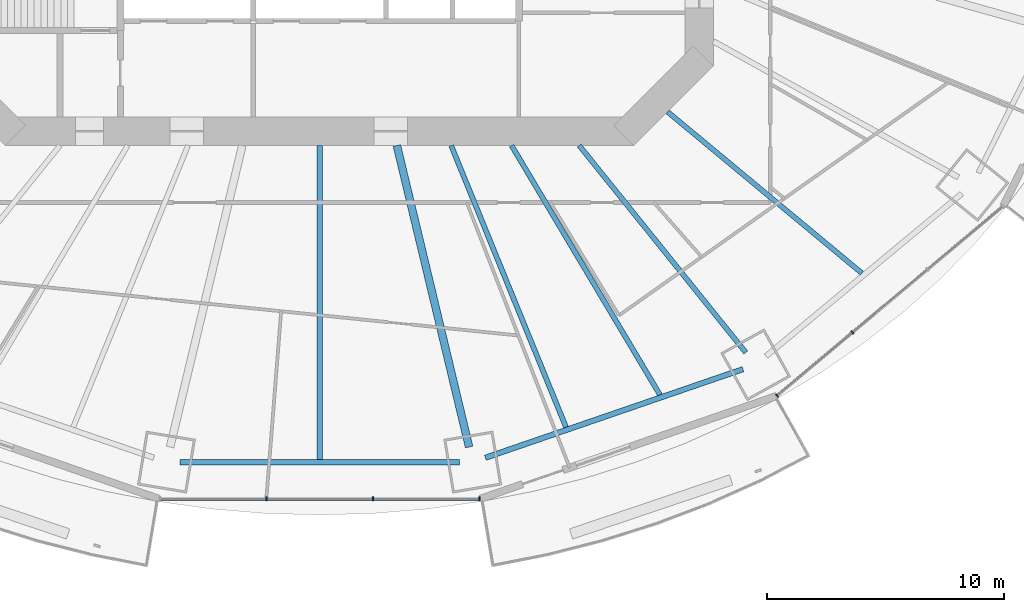
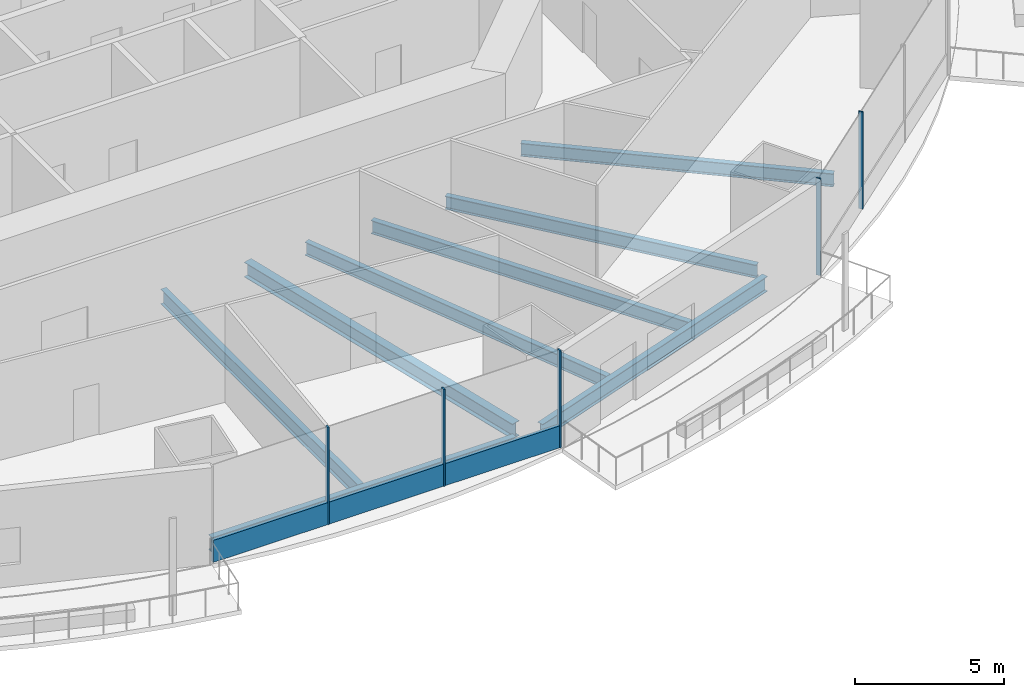
# One storey, part 4 of 22: 8 beams, 6 members, 2 elements without a shape of their own.
"""IFC4 building model written with IfcOpenShell, lengths in metres."""

from ifc_helpers import new_model, si_unit, direction, frame, origin, origin_2d, place, context, subcontext, project, spatial, rectangle, i_section, extrude, material, material_profile, profile_set, type_object, element, aggregate, save


model = new_model("IFC4")

# Units and contexts
model_context = context("Model", 3, precision=1e-05, world=origin(), true_north=direction((0.0, 1.0)))
body_context = subcontext(model_context, "Body", "Model", "MODEL_VIEW")
ifc_project = project(units=[si_unit("LENGTHUNIT", "METRE"), si_unit("AREAUNIT", "SQUARE_METRE"), si_unit("VOLUMEUNIT", "CUBIC_METRE"), si_unit("PLANEANGLEUNIT", "RADIAN"), si_unit("MASSUNIT", "GRAM", prefix="KILO")], contexts=[model_context])

# Site, building, storey
site_placement = place(None, origin())
site = spatial("IfcSite", under=ifc_project, at=site_placement, CompositionType="ELEMENT")
building_placement = place(site_placement, origin())
building = spatial("IfcBuilding", under=site, at=building_placement, Name="Marenthal Gate Tower", CompositionType="ELEMENT")
storey_placement = place(building_placement, frame((0.0, 0.0, 103.550048828125)))
storey = spatial("IfcBuildingStorey", under=building, at=storey_placement, Name="L21", CompositionType="ELEMENT", Elevation=103.550048828125)

# Curtain wall, members
ifc_material_1 = material(Name="Aluminium and glass", Category="aluminium")
curtain_wall_type = type_object("IfcCurtainWallType", Name="Curtain wall typical low", PredefinedType="NOTDEFINED", material=ifc_material_1)
curtain_wall_1_placement = place(storey_placement, origin())
curtain_wall_1 = element("IfcCurtainWall", 1, at=curtain_wall_1_placement, inside=storey, type_object=curtain_wall_type, Name="Curtain wall L21 bay 12", PredefinedType="NOTDEFINED")
ifc_material_2 = material(Name="Aluminium", Category="aluminium")
ifc_material_profile_1 = material_profile(ifc_material_2, rectangle(XDim=0.159912109375, YDim=0.06005859375, at=origin_2d()), Name="60x160 aluminium mullion")
ifc_profile_set_1 = profile_set([ifc_material_profile_1], Name="Aluminium")
member_type_1 = type_object("IfcMemberType", Name="Mullion 60x160 typical low", PredefinedType="MULLION", material=ifc_profile_set_1)
member_1_placement = place(storey_placement, frame((-2.244384765625, -28.494873046875, 0.0), z_axis=(0.0, 0.0, 1.0), x_axis=(0.0, 1.0, 0.0)))
member_1 = element("IfcMember", 2, at=member_1_placement, type_object=member_type_1, Name="Mullion L21 bay 12.2", PredefinedType="MULLION", context=body_context, shape_type="SweptSolid", body=[
    extrude(rectangle(XDim=0.159912109375, YDim=0.06005859375, at=origin_2d()), origin(), (0.0, 0.0, 1.0), 3.969970703125),
])
member_2_placement = place(storey_placement, frame((2.244384765625, -28.494873046875, 0.0), z_axis=(0.0, 0.0, 1.0), x_axis=(0.0, 1.0, 0.0)))
member_2 = element("IfcMember", 3, at=member_2_placement, type_object=member_type_1, Name="Mullion L21 bay 12.3", PredefinedType="MULLION", context=body_context, shape_type="SweptSolid", body=[
    extrude(rectangle(XDim=0.159912109375, YDim=0.06005859375, at=origin_2d()), origin(), (0.0, 0.0, 1.0), 3.969970703125),
])
member_3_placement = place(storey_placement, frame((6.7333984375, -28.494873046875, 0.0), z_axis=(0.0, 0.0, 1.0), x_axis=(0.0, 1.0, 0.0)))
member_3 = element("IfcMember", 4, at=member_3_placement, type_object=member_type_1, Name="Mullion L21 bay 12.4", PredefinedType="MULLION", context=body_context, shape_type="SweptSolid", body=[
    extrude(rectangle(XDim=0.159912109375, YDim=0.06005859375, at=origin_2d()), origin(), (0.0, 0.0, 1.0), 3.969970703125),
])

curtain_wall_2_placement = place(storey_placement, origin())
curtain_wall_2 = element("IfcCurtainWall", 5, at=curtain_wall_2_placement, inside=storey, type_object=curtain_wall_type, Name="Curtain wall L21 bay 14", PredefinedType="NOTDEFINED")
member_4_placement = place(storey_placement, frame((19.283447265625, -24.137451171875, 0.0), z_axis=(0.0, 0.0, 1.0), x_axis=(-0.642307658805, 0.766446913648, 0.0)))
member_4 = element("IfcMember", 6, at=member_4_placement, type_object=member_type_1, Name="Mullion L21 bay 14.1", PredefinedType="MULLION", context=body_context, shape_type="SweptSolid", body=[
    extrude(rectangle(XDim=0.159912109375, YDim=0.06005859375, at=origin_2d()), origin(), (0.0, 0.0, 1.0), 3.969970703125),
])
member_5_placement = place(storey_placement, frame((22.45654296875, -21.478515625, 0.0), z_axis=(0.0, 0.0, 1.0), x_axis=(-0.642307658805, 0.766446913648, 0.0)))
member_5 = element("IfcMember", 7, at=member_5_placement, type_object=member_type_1, Name="Mullion L21 bay 14.2", PredefinedType="MULLION", context=body_context, shape_type="SweptSolid", body=[
    extrude(rectangle(XDim=0.159912109375, YDim=0.06005859375, at=origin_2d()), origin(), (0.0, 0.0, 1.0), 3.969970703125),
])
aggregate(curtain_wall_2, [member_4, member_5])

# Member
ifc_material_3 = material(Name="Aluminium", Category="aluminium")
ifc_material_profile_2 = material_profile(ifc_material_3, rectangle(XDim=0.1201171875, YDim=0.89990234375, at=origin_2d()), Name="120x900 aluminium transom")
ifc_profile_set_2 = profile_set([ifc_material_profile_2], Name="Aluminium")
member_type_2 = type_object("IfcMemberType", Name="Transom 120x900 typical low", PredefinedType="USERDEFINED", material=ifc_profile_set_2)
member_6_placement = place(storey_placement, frame((-6.703369140625, -28.494873046875, 0.449951171875), z_axis=(1.0, 0.0, 0.0), x_axis=(0.0, 1.0, 0.0)))
member_6 = element("IfcMember", 8, at=member_6_placement, type_object=member_type_2, Name="Transom L21 bay 12", ObjectType="TRANSOM", PredefinedType="USERDEFINED", context=body_context, shape_type="SweptSolid", body=[
    extrude(rectangle(XDim=0.1201171875, YDim=0.89990234375, at=origin_2d()), origin(), (0.0, 0.0, 1.0), 13.40673828125),
])

aggregate(curtain_wall_1, [member_1, member_2, member_3, member_6])

# Beams
ifc_material_4 = material(Name="Steel S355", Category="steel")
ifc_material_profile_3 = material_profile(ifc_material_4, i_section(OverallWidth=0.2099609375, OverallDepth=0.535888671875, WebThickness=0.010986328125, FlangeThickness=0.017333984375, FilletRadius=0.0126953125, at=origin_2d()), Name="W530X101")
ifc_profile_set_3 = profile_set([ifc_material_profile_3], Name="Steel S355")
beam_type_1 = type_object("IfcBeamType", Name="W530X101 beam", PredefinedType="BEAM", material=ifc_profile_set_3)
beam_1_placement = place(storey_placement, frame((22.857666015625, -18.978759765625, -0.447998046875), z_axis=(-0.769368830907, 0.63880482311, 0.0), x_axis=(-0.63880482311, -0.769368830907, 0.0)))
element("IfcBeam", 9, at=beam_1_placement, inside=storey, type_object=beam_type_1, Name="BM-L21-37", PredefinedType="BEAM", context=body_context, shape_type="SweptSolid", body=[
    extrude(i_section(OverallWidth=0.2099609375, OverallDepth=0.535888671875, WebThickness=0.010986328125, FlangeThickness=0.017333984375, FilletRadius=0.0126953125, at=origin_2d()), origin(), (0.0, 0.0, 1.0), 10.643310546875),
])
ifc_material_5 = material(Name="Steel S355", Category="steel")
ifc_material_profile_4 = material_profile(ifc_material_5, i_section(OverallWidth=0.2119140625, OverallDepth=0.5439453125, WebThickness=0.01318359375, FlangeThickness=0.021240234375, FilletRadius=0.0126953125, at=origin_2d()), Name="W530X123")
ifc_profile_set_4 = profile_set([ifc_material_profile_4], Name="Steel S355")
beam_type_2 = type_object("IfcBeamType", Name="W530X123 beam", PredefinedType="BEAM", material=ifc_profile_set_4)
beam_2_placement = place(storey_placement, frame((17.964599609375, -22.3232421875, -0.4521484375), z_axis=(-0.626952602909, 0.779057400777, 0.0), x_axis=(-0.779057400777, -0.626952602909, 0.0)))
element("IfcBeam", 10, at=beam_2_placement, inside=storey, type_object=beam_type_2, Name="BM-L21-14", PredefinedType="BEAM", context=body_context, shape_type="SweptSolid", body=[
    extrude(i_section(OverallWidth=0.2119140625, OverallDepth=0.5439453125, WebThickness=0.01318359375, FlangeThickness=0.021240234375, FilletRadius=0.0126953125, at=origin_2d()), origin(), (0.0, 0.0, 1.0), 11.197021484375),
])
beam_3_placement = place(storey_placement, frame((10.3876953125, -25.4716796875, -0.4521484375), z_axis=(-0.377613822907, 0.925963174618, 0.0), x_axis=(-0.925963174618, -0.377613822907, 0.0)))
element("IfcBeam", 11, at=beam_3_placement, inside=storey, type_object=beam_type_2, Name="BM-L21-35", PredefinedType="BEAM", context=body_context, shape_type="SweptSolid", body=[
    extrude(i_section(OverallWidth=0.2119140625, OverallDepth=0.5439453125, WebThickness=0.01318359375, FlangeThickness=0.021240234375, FilletRadius=0.0126953125, at=origin_2d()), origin(), (0.0, 0.0, 1.0), 12.82080078125),
])
beam_4_placement = place(storey_placement, frame((14.346923828125, -24.10986328125, -0.4521484375), z_axis=(-0.511368740727, 0.859361397206, 0.0), x_axis=(-0.859361397206, -0.511368740727, 0.0)))
element("IfcBeam", 12, at=beam_4_placement, inside=storey, type_object=beam_type_2, Name="BM-L21-36", PredefinedType="BEAM", context=body_context, shape_type="SweptSolid", body=[
    extrude(i_section(OverallWidth=0.2119140625, OverallDepth=0.5439453125, WebThickness=0.01318359375, FlangeThickness=0.021240234375, FilletRadius=0.0126953125, at=origin_2d()), origin(), (0.0, 0.0, 1.0), 12.229736328125),
])
ifc_material_6 = material(Name="Steel S355", Category="steel")
ifc_material_profile_5 = material_profile(ifc_material_6, i_section(OverallWidth=0.22900390625, OverallDepth=0.612060546875, WebThickness=0.011962890625, FlangeThickness=0.01953125, FilletRadius=0.0126953125, at=origin_2d()), Name="W610X125")
ifc_profile_set_5 = profile_set([ifc_material_profile_5], Name="Steel S355")
beam_type_3 = type_object("IfcBeamType", Name="W610X125 beam", PredefinedType="BEAM", material=ifc_profile_set_5)
beam_5_placement = place(storey_placement, frame((0.0, -26.83056640625, -0.486083984375), z_axis=(0.0, 1.0, 0.0), x_axis=(-1.0, 0.0, 0.0)))
element("IfcBeam", 13, at=beam_5_placement, inside=storey, type_object=beam_type_3, Name="BM-L21-34", PredefinedType="BEAM", context=body_context, shape_type="SweptSolid", body=[
    extrude(i_section(OverallWidth=0.22900390625, OverallDepth=0.612060546875, WebThickness=0.011962890625, FlangeThickness=0.01953125, FilletRadius=0.0126953125, at=origin_2d()), origin(), (0.0, 0.0, 1.0), 13.23046875),
])
beam_6_placement = place(storey_placement, frame((-5.890869140625, -26.945068359375, -0.486083984375), z_axis=(1.0, 0.0, 0.0), x_axis=(0.0, 1.0, 0.0)))
element("IfcBeam", 14, at=beam_6_placement, inside=storey, type_object=beam_type_3, Name="BM-L21-52", PredefinedType="BEAM", context=body_context, shape_type="SweptSolid", body=[
    extrude(i_section(OverallWidth=0.22900390625, OverallDepth=0.612060546875, WebThickness=0.011962890625, FlangeThickness=0.01953125, FilletRadius=0.0126953125, at=origin_2d()), origin(), (0.0, 0.0, 1.0), 11.78173828125),
])
beam_7_placement = place(storey_placement, frame((6.9892578125, -26.761474609375, -0.486083984375), z_axis=(0.945633885285, 0.325233077963, 0.0), x_axis=(-0.325233077963, 0.945633885285, 0.0)))
element("IfcBeam", 15, at=beam_7_placement, inside=storey, type_object=beam_type_3, Name="BM-L21-53", PredefinedType="BEAM", context=body_context, shape_type="SweptSolid", body=[
    extrude(i_section(OverallWidth=0.22900390625, OverallDepth=0.612060546875, WebThickness=0.011962890625, FlangeThickness=0.01953125, FilletRadius=0.0126953125, at=origin_2d()), origin(), (0.0, 0.0, 1.0), 11.482177734375),
])
ifc_material_7 = material(Name="Steel S355", Category="steel")
ifc_material_profile_6 = material_profile(ifc_material_7, i_section(OverallWidth=0.324951171875, OverallDepth=0.612060546875, WebThickness=0.0126953125, FlangeThickness=0.01904296875, FilletRadius=0.0126953125, at=origin_2d()), Name="W610X155")
ifc_profile_set_6 = profile_set([ifc_material_profile_6], Name="Steel S355")
beam_type_4 = type_object("IfcBeamType", Name="W610X155 beam", PredefinedType="BEAM", material=ifc_profile_set_6)
beam_8_placement = place(storey_placement, frame((6.302978515625, -26.31005859375, -0.486083984375), z_axis=(-0.232977289633, 0.972482175937, 0.0), x_axis=(-0.972482175937, -0.232977289633, 0.0)))
element("IfcBeam", 16, at=beam_8_placement, inside=storey, type_object=beam_type_4, Name="BM-L21-13", PredefinedType="BEAM", context=body_context, shape_type="SweptSolid", body=[
    extrude(i_section(OverallWidth=0.324951171875, OverallDepth=0.612060546875, WebThickness=0.0126953125, FlangeThickness=0.01904296875, FilletRadius=0.0126953125, at=origin_2d()), origin(), (0.0, 0.0, 1.0), 13.069580078125),
])

save(model, "model.ifc")
